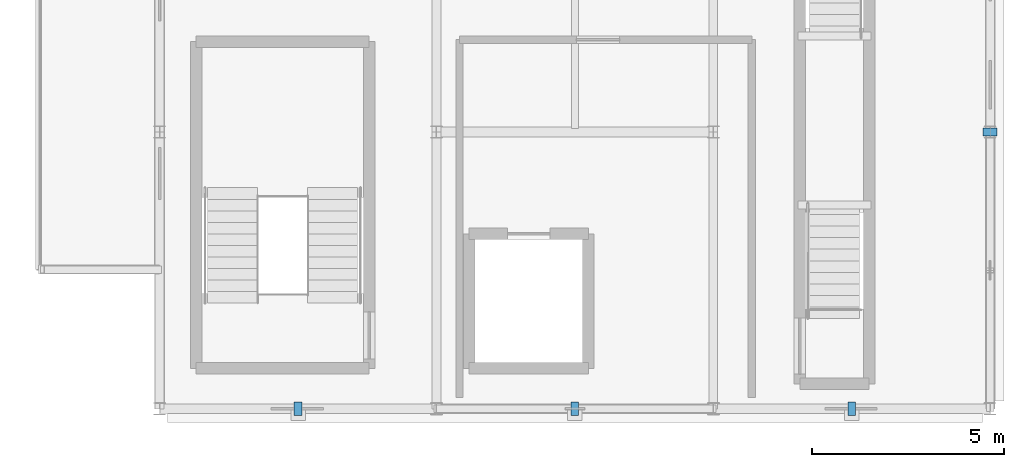
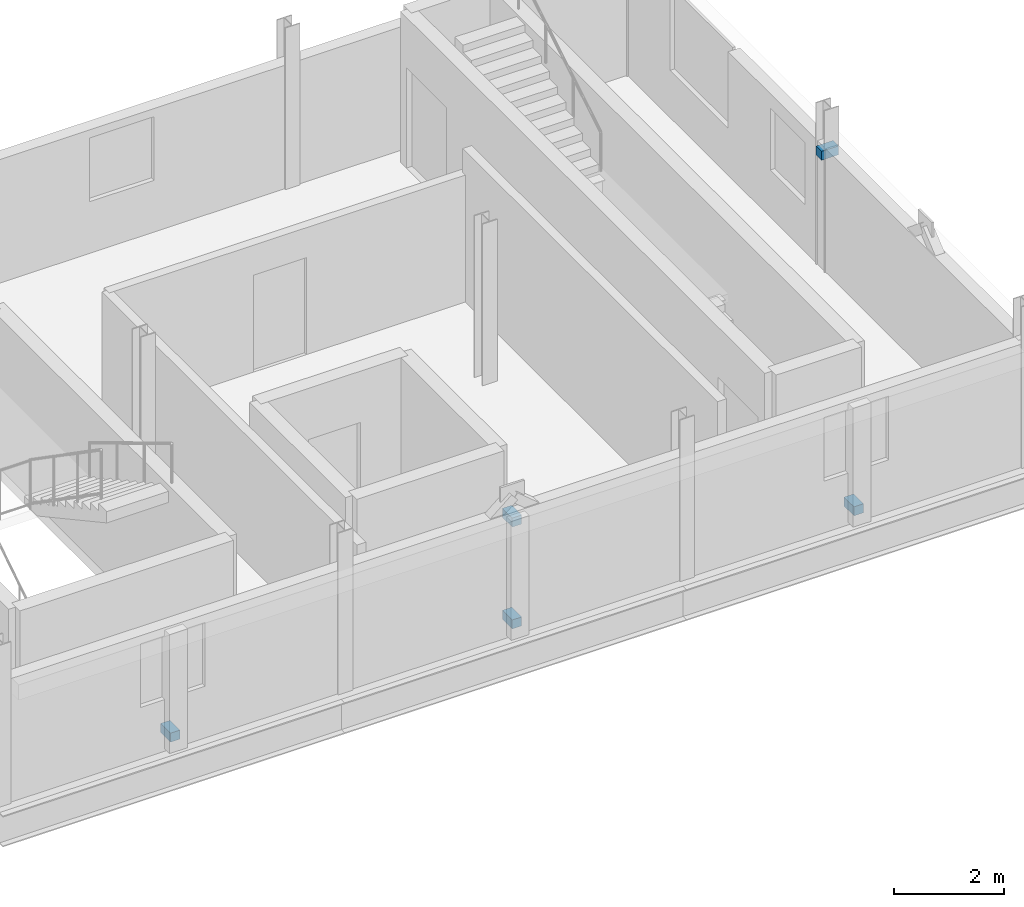
# One storey, part 74 of 96: 5 discrete accessories.
"""IFC4 building model written with IfcOpenShell, lengths in metres."""

from ifc_helpers import new_model, si_unit, direction, frame, origin, origin_2d, place, context, subcontext, project, spatial, rectangle, extrude, material, type_object, element, save


model = new_model("IFC4")

# Units and contexts
model_context = context("Model", 3, precision=1e-05, world=origin(), true_north=direction((0.0, 1.0)))
body_context = subcontext(model_context, "Body", "Model", "MODEL_VIEW")
ifc_project = project(units=[si_unit("LENGTHUNIT", "METRE"), si_unit("AREAUNIT", "SQUARE_METRE"), si_unit("VOLUMEUNIT", "CUBIC_METRE"), si_unit("PLANEANGLEUNIT", "RADIAN"), si_unit("MASSUNIT", "GRAM", prefix="KILO")], contexts=[model_context])

# Site, building, storey
site_placement = place(None, origin())
site = spatial("IfcSite", under=ifc_project, at=site_placement, CompositionType="ELEMENT")
building_placement = place(site_placement, origin())
building = spatial("IfcBuilding", under=site, at=building_placement, Name="Yarey Park Central Fire Station", CompositionType="ELEMENT")
storey_placement = place(building_placement, frame((0.0, 0.0, 14.39990234375)))
storey = spatial("IfcBuildingStorey", under=building, at=storey_placement, Name="L04", CompositionType="ELEMENT", Elevation=14.39990234375)

# Discrete accessories
ifc_material = material(Name="Stainless Steel AISI 316L", Category="steel")
discrete_accessory_type = type_object("IfcDiscreteAccessoryType", Name="ENV_BRK_SS1", PredefinedType="BRACKET", material=ifc_material)
discrete_accessory_placement = place(storey_placement, frame((165.60009765625, 7.199951171875, 2.47021484375), z_axis=(0.0, 0.0, 1.0), x_axis=(1.0, 0.0, 0.0)))
element("IfcDiscreteAccessory", 1, at=discrete_accessory_placement, inside=storey, type_object=discrete_accessory_type, Name="BRK_FIN_L04_DTE_HOOD", PredefinedType="BRACKET", context=body_context, shape_type="SweptSolid", body=[
    extrude(rectangle(XDim=0.360107421875, YDim=0.199951171875, at=origin_2d()), origin(), (0.0, 0.0, 1.0), 0.199951171875),
])
for number, where, z_axis, x_axis, name in (
    (2, (154.800048828125, 0.0, 2.47021484375), (0.0, 0.0, 1.0), (1.0, 0.0, 0.0), "BRK_FIN_L04_DTS_HOOD"),
    (3, (147.60009765625, 0.0, 0.2001953125), (0.0, 0.0, 1.0), (1.0, 0.0, 0.0), "BRK_FIN_L04_DTS_PIL_1"),
    (4, (154.800048828125, 0.0, 0.2001953125), (0.0, 0.0, 1.0), (1.0, 0.0, 0.0), "BRK_FIN_L04_DTS_PIL_2"),
    (5, (162.0, 0.0, 0.2001953125), (0.0, 0.0, 1.0), (1.0, 0.0, 0.0), "BRK_FIN_L04_DTS_PIL_3"),
):
    element("IfcDiscreteAccessory", number, at=place(storey_placement, frame(where, z_axis=z_axis, x_axis=x_axis)), inside=storey, type_object=discrete_accessory_type, Name=name, PredefinedType="BRACKET", context=body_context, shape_type="SweptSolid", body=[
        extrude(rectangle(XDim=0.199951171875, YDim=0.360107421875, at=origin_2d()), origin(), (0.0, 0.0, 1.0), 0.199951171875),
    ])

save(model, "model.ifc")
